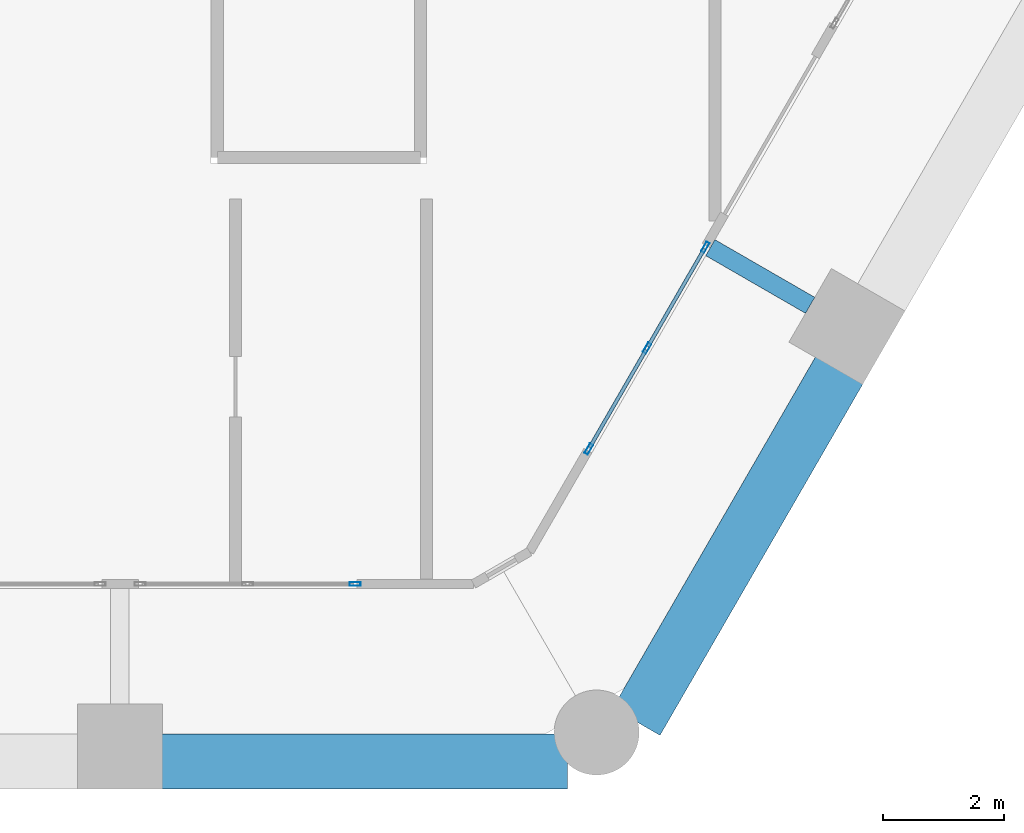
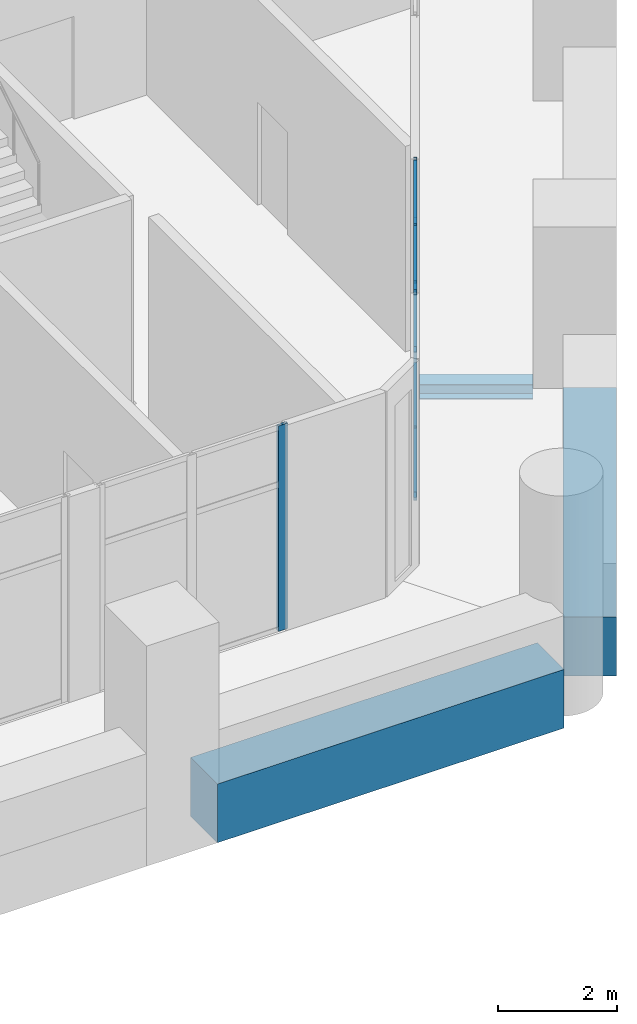
# One storey, part 6 of 18: 10 members, 3 beams, 2 elements without a shape of their own.
"""IFC4 building model written with IfcOpenShell, lengths in metres."""

from ifc_helpers import new_model, si_unit, direction, frame, origin, origin_2d, place, context, subcontext, project, spatial, rectangle, hollow_rectangle, i_section, extrude, material, material_profile, profile_set, type_object, element, aggregate, save


model = new_model("IFC4")

# Units and contexts
model_context = context("Model", 3, precision=1e-05, world=origin(), true_north=direction((0.0, 1.0)))
body_context = subcontext(model_context, "Body", "Model", "MODEL_VIEW")
ifc_project = project(units=[si_unit("LENGTHUNIT", "METRE"), si_unit("AREAUNIT", "SQUARE_METRE"), si_unit("VOLUMEUNIT", "CUBIC_METRE"), si_unit("PLANEANGLEUNIT", "RADIAN"), si_unit("MASSUNIT", "GRAM", prefix="KILO")], contexts=[model_context])

# Site, building, storey
site_placement = place(None, origin())
site = spatial("IfcSite", under=ifc_project, at=site_placement, CompositionType="ELEMENT")
building_placement = place(site_placement, origin())
building = spatial("IfcBuilding", under=site, at=building_placement, Name="Ostrander Bayou Hotel Tower", CompositionType="ELEMENT")
storey_placement = place(building_placement, frame((0.0, 0.0, 19.0)))
storey = spatial("IfcBuildingStorey", under=building, at=storey_placement, Name="L04", CompositionType="ELEMENT", Elevation=19.0)

# Curtain wall, member
ifc_material_1 = material(Name="Aluminium and clear glass", Category="aluminium")
curtain_wall_type = type_object("IfcCurtainWallType", Name="CW-SKY amenity glass wall", PredefinedType="NOTDEFINED", material=ifc_material_1)
curtain_wall_1_placement = place(storey_placement, origin())
curtain_wall_1 = element("IfcCurtainWall", 1, at=curtain_wall_1_placement, inside=storey, type_object=curtain_wall_type, Name="CW-SKY L04 S 4", PredefinedType="NOTDEFINED")
ifc_material_2 = material(Name="Aluminium", Category="aluminium")
ifc_material_profile_1 = material_profile(ifc_material_2, hollow_rectangle(XDim=0.06005859375, YDim=0.179931640625, WallThickness=0.00390625, at=origin_2d()))
ifc_profile_set_1 = profile_set([ifc_material_profile_1], Name="Aluminium")
member_type_1 = type_object("IfcMemberType", Name="CW-SK mullion 60 x 180 mm", PredefinedType="MULLION", material=ifc_profile_set_1)
member_1_placement = place(storey_placement, frame((8.070068359375, -18.425048828125, 0.0), z_axis=(0.0, 0.0, 1.0), x_axis=(0.0, 1.0, 0.0)))
member_1 = element("IfcMember", 2, at=member_1_placement, type_object=member_type_1, Name="CW-SKY mullion 3", PredefinedType="MULLION", context=body_context, shape_type="SweptSolid", body=[
    extrude(hollow_rectangle(XDim=0.06005859375, YDim=0.179931640625, WallThickness=0.00390625, at=origin_2d()), origin(), (0.0, 0.0, 1.0), 4.199951171875),
])
aggregate(curtain_wall_1, [member_1])

# Curtain wall, members
curtain_wall_2_placement = place(storey_placement, origin())
curtain_wall_2 = element("IfcCurtainWall", 3, at=curtain_wall_2_placement, inside=storey, type_object=curtain_wall_type, Name="CW-SKY L04 SE 1", PredefinedType="NOTDEFINED")
member_2_placement = place(storey_placement, frame((11.92138671875, -16.201416015625, 0.0), z_axis=(0.0, 0.0, 1.0), x_axis=(-0.866025463091, 0.499999897278, 0.0)))
member_2 = element("IfcMember", 4, at=member_2_placement, type_object=member_type_1, Name="CW-SKY mullion 1", PredefinedType="MULLION", context=body_context, shape_type="SweptSolid", body=[
    extrude(hollow_rectangle(XDim=0.06005859375, YDim=0.179931640625, WallThickness=0.00390625, at=origin_2d()), origin(), (0.0, 0.0, 1.0), 4.199951171875),
])
member_3_placement = place(storey_placement, frame((12.881591796875, -14.53857421875, 0.0), z_axis=(0.0, 0.0, 1.0), x_axis=(-0.866025463091, 0.499999897278, 0.0)))
member_3 = element("IfcMember", 5, at=member_3_placement, type_object=member_type_1, Name="CW-SKY mullion 2", PredefinedType="MULLION", context=body_context, shape_type="SweptSolid", body=[
    extrude(hollow_rectangle(XDim=0.06005859375, YDim=0.179931640625, WallThickness=0.00390625, at=origin_2d()), origin(), (0.0, 0.0, 1.0), 4.199951171875),
])
member_4_placement = place(storey_placement, frame((13.841552734375, -12.875732421875, 0.0), z_axis=(0.0, 0.0, 1.0), x_axis=(-0.866025463091, 0.499999897278, 0.0)))
member_4 = element("IfcMember", 6, at=member_4_placement, type_object=member_type_1, Name="CW-SKY mullion 3", PredefinedType="MULLION", context=body_context, shape_type="SweptSolid", body=[
    extrude(hollow_rectangle(XDim=0.06005859375, YDim=0.179931640625, WallThickness=0.00390625, at=origin_2d()), origin(), (0.0, 0.0, 1.0), 4.199951171875),
])
ifc_material_3 = material(Name="Aluminium", Category="aluminium")
ifc_material_profile_2 = material_profile(ifc_material_3, hollow_rectangle(XDim=0.06005859375, YDim=0.1201171875, WallThickness=0.00390625, at=origin_2d()))
ifc_profile_set_2 = profile_set([ifc_material_profile_2], Name="Aluminium")
member_type_2 = type_object("IfcMemberType", Name="CW-SK transom 60 x 120 mm", PredefinedType="USERDEFINED", material=ifc_profile_set_2)
member_5_placement = place(storey_placement, frame((11.9365234375, -16.17529296875, 0.030029296875), z_axis=(0.499964847546, 0.866045698112, 0.0), x_axis=(-0.866045698112, 0.499964847546, 0.0)))
member_5 = element("IfcMember", 7, at=member_5_placement, type_object=member_type_2, Name="CW-SKY transom 1.1", ObjectType="TRANSOM", PredefinedType="USERDEFINED", context=body_context, shape_type="SweptSolid", body=[
    extrude(hollow_rectangle(XDim=0.06005859375, YDim=0.1201171875, WallThickness=0.00390625, at=origin_2d()), origin(), (0.0, 0.0, 1.0), 1.860107421875),
])
member_6_placement = place(storey_placement, frame((11.9365234375, -16.17529296875, 3.0), z_axis=(0.499964847546, 0.866045698112, 0.0), x_axis=(-0.866045698112, 0.499964847546, 0.0)))
member_6 = element("IfcMember", 8, at=member_6_placement, type_object=member_type_2, Name="CW-SKY transom 1.2", ObjectType="TRANSOM", PredefinedType="USERDEFINED", context=body_context, shape_type="SweptSolid", body=[
    extrude(hollow_rectangle(XDim=0.06005859375, YDim=0.1201171875, WallThickness=0.00390625, at=origin_2d()), origin(), (0.0, 0.0, 1.0), 1.860107421875),
])
member_7_placement = place(storey_placement, frame((11.9365234375, -16.17529296875, 4.169921875), z_axis=(0.499964847546, 0.866045698112, 0.0), x_axis=(-0.866045698112, 0.499964847546, 0.0)))
member_7 = element("IfcMember", 9, at=member_7_placement, type_object=member_type_2, Name="CW-SKY transom 1.3", ObjectType="TRANSOM", PredefinedType="USERDEFINED", context=body_context, shape_type="SweptSolid", body=[
    extrude(hollow_rectangle(XDim=0.06005859375, YDim=0.1201171875, WallThickness=0.00390625, at=origin_2d()), origin(), (0.0, 0.0, 1.0), 1.860107421875),
])
member_8_placement = place(storey_placement, frame((12.896484375, -14.512451171875, 0.030029296875), z_axis=(0.500021687003, 0.866012882425, 0.0), x_axis=(-0.866012882425, 0.500021687003, 0.0)))
member_8 = element("IfcMember", 10, at=member_8_placement, type_object=member_type_2, Name="CW-SKY transom 2.1", ObjectType="TRANSOM", PredefinedType="USERDEFINED", context=body_context, shape_type="SweptSolid", body=[
    extrude(hollow_rectangle(XDim=0.06005859375, YDim=0.1201171875, WallThickness=0.00390625, at=origin_2d()), origin(), (0.0, 0.0, 1.0), 1.85986328125),
])
member_9_placement = place(storey_placement, frame((12.896484375, -14.512451171875, 3.0), z_axis=(0.500021687003, 0.866012882425, 0.0), x_axis=(-0.866012882425, 0.500021687003, 0.0)))
member_9 = element("IfcMember", 11, at=member_9_placement, type_object=member_type_2, Name="CW-SKY transom 2.2", ObjectType="TRANSOM", PredefinedType="USERDEFINED", context=body_context, shape_type="SweptSolid", body=[
    extrude(hollow_rectangle(XDim=0.06005859375, YDim=0.1201171875, WallThickness=0.00390625, at=origin_2d()), origin(), (0.0, 0.0, 1.0), 1.85986328125),
])
member_10_placement = place(storey_placement, frame((12.896484375, -14.512451171875, 4.169921875), z_axis=(0.500021687003, 0.866012882425, 0.0), x_axis=(-0.866012882425, 0.500021687003, 0.0)))
member_10 = element("IfcMember", 12, at=member_10_placement, type_object=member_type_2, Name="CW-SKY transom 2.3", ObjectType="TRANSOM", PredefinedType="USERDEFINED", context=body_context, shape_type="SweptSolid", body=[
    extrude(hollow_rectangle(XDim=0.06005859375, YDim=0.1201171875, WallThickness=0.00390625, at=origin_2d()), origin(), (0.0, 0.0, 1.0), 1.85986328125),
])
aggregate(curtain_wall_2, [member_2, member_3, member_4, member_5, member_6, member_7, member_8, member_9, member_10])

# Beams
ifc_material_4 = material(Name="Steel ASTM A992", Category="steel")
ifc_material_profile_3 = material_profile(ifc_material_4, i_section(OverallWidth=0.3046875, OverallDepth=0.307861328125, WebThickness=0.010009765625, FlangeThickness=0.015380859375, at=origin_2d()))
ifc_profile_set_3 = profile_set([ifc_material_profile_3], Name="Steel ASTM A992")
beam_type_1 = type_object("IfcBeamType", Name="LB1 loggia bracket W12x65", PredefinedType="BEAM", material=ifc_profile_set_3)
beam_placement = place(storey_placement, frame((15.569091796875, -13.833251953125, -0.453857421875), z_axis=(-0.86601224135, 0.500022797313, 0.0), x_axis=(-0.500022797313, -0.86601224135, 0.0)))
element("IfcBeam", 13, at=beam_placement, inside=storey, type_object=beam_type_1, Name="LB1 L04 SE1", PredefinedType="BEAM", context=body_context, shape_type="SweptSolid", body=[
    extrude(i_section(OverallWidth=0.3046875, OverallDepth=0.307861328125, WebThickness=0.010009765625, FlangeThickness=0.015380859375, at=origin_2d()), origin(), (0.0, 0.0, 1.0), 1.89990234375),
])
ifc_material_5 = material(Name="Concrete f'c 70 MPa", Category="concrete")
ifc_material_profile_4 = material_profile(ifc_material_5, rectangle(XDim=0.89990234375, YDim=1.199951171875, at=origin_2d()))
ifc_profile_set_4 = profile_set([ifc_material_profile_4], Name="Concrete f'c 70 MPa")
beam_type_2 = type_object("IfcBeamType", Name="SP1 spandrel beam 900 x 1200 mm f'c 70 MPa", PredefinedType="SPANDREL", material=ifc_profile_set_4)
for number, where, z_axis, x_axis, name in (
    (14, (4.865478515625, -21.35009765625, -0.60009765625), (1.0, 0.0, 0.0), (0.0, 1.0, 0.0), "SP1 L04 S-3"),
    (15, (12.705078125, -20.694091796875, -0.60009765625), (0.500005133765, 0.866022439784, 0.0), (-0.866022439784, 0.500005133765, 0.0), "SP1 L04 SE-1"),
):
    element("IfcBeam", number, at=place(storey_placement, frame(where, z_axis=z_axis, x_axis=x_axis)), inside=storey, type_object=beam_type_2, Name=name, PredefinedType="SPANDREL", context=body_context, shape_type="SweptSolid", body=[
        extrude(rectangle(XDim=0.89990234375, YDim=1.199951171875, at=origin_2d()), origin(), (0.0, 0.0, 1.0), 6.70361328125),
    ])

save(model, "model.ifc")
